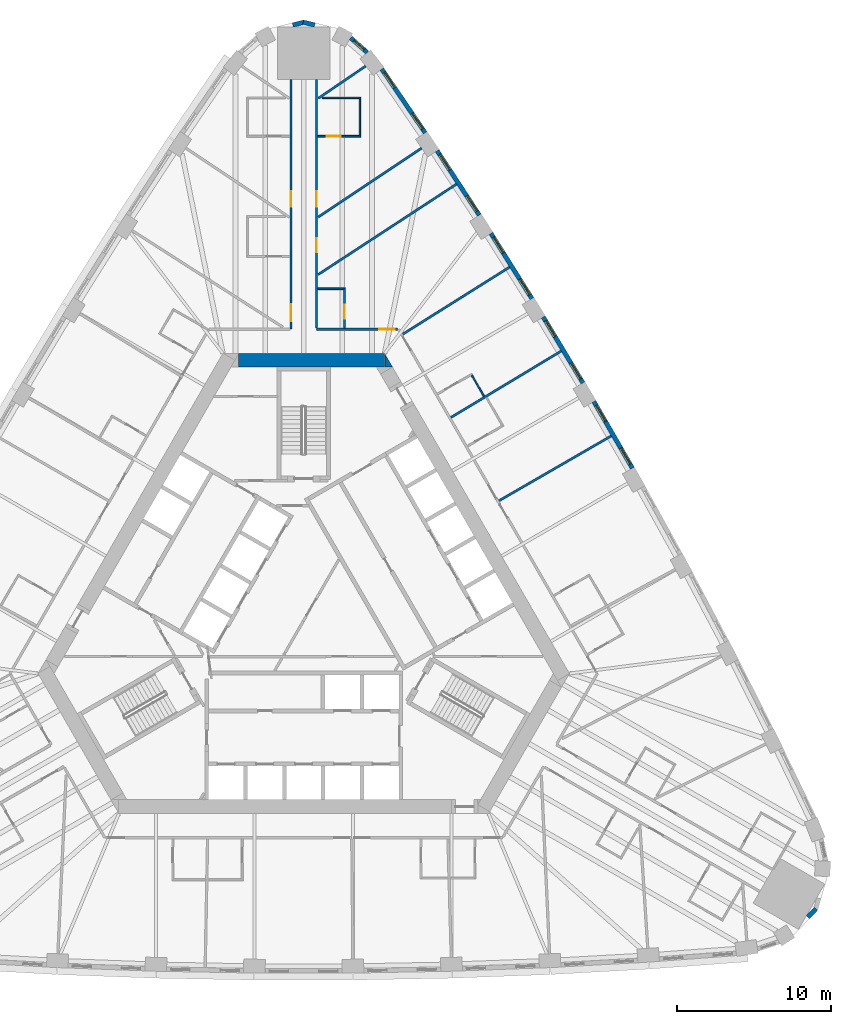
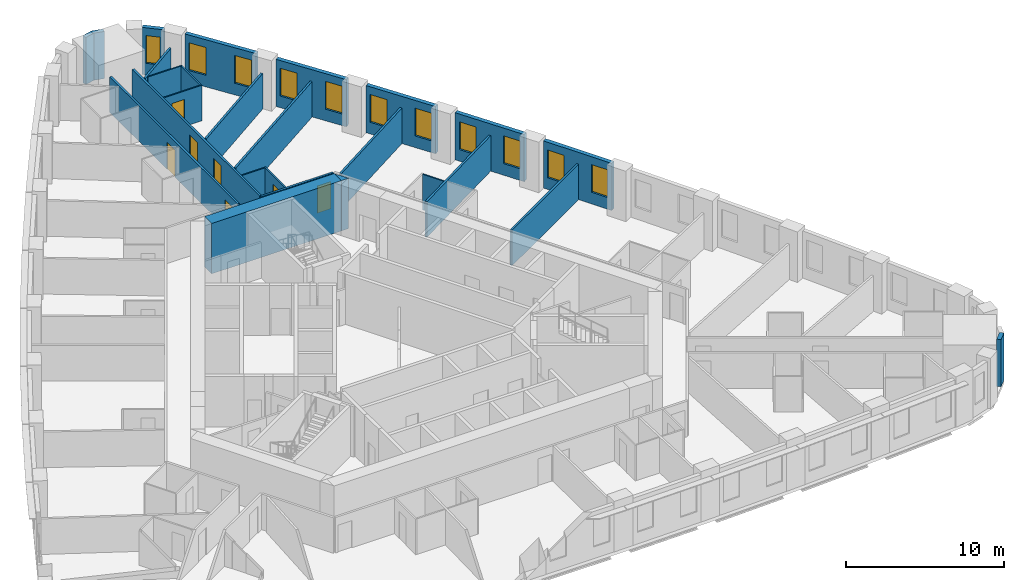
# One storey, part 11 of 13: 26 walls, 11 windows, 7 doors, 18 openings.
"""IFC4 building model written with IfcOpenShell, lengths in metres."""

from ifc_helpers import new_model, si_unit, direction, frame, frame_2d, origin, place, context, subcontext, project, spatial, polyline, rectangle, outline, extrude, material, layer, layer_set, type_object, element, fill, save


model = new_model("IFC4")

# Units and contexts
model_context = context("Model", 3, precision=1e-05, world=origin(), true_north=direction((0.0, 1.0)))
body_context = subcontext(model_context, "Body", "Model", "MODEL_VIEW")
ifc_project = project(units=[si_unit("LENGTHUNIT", "METRE"), si_unit("AREAUNIT", "SQUARE_METRE"), si_unit("VOLUMEUNIT", "CUBIC_METRE"), si_unit("PLANEANGLEUNIT", "RADIAN"), si_unit("MASSUNIT", "GRAM", prefix="KILO")], contexts=[model_context])

# Site, building, storey
site_placement = place(None, origin())
site = spatial("IfcSite", under=ifc_project, at=site_placement, CompositionType="ELEMENT")
building_placement = place(site_placement, origin())
building = spatial("IfcBuilding", under=site, at=building_placement, Name="Mestral Congress Tower", CompositionType="ELEMENT")
storey_placement = place(building_placement, frame((0.0, 0.0, 58.800048828125)))
storey = spatial("IfcBuildingStorey", under=building, at=storey_placement, Name="L13", CompositionType="ELEMENT", Elevation=58.800048828125)

# Walls
ifc_material_1 = material(Name="Concrete C60/75", Category="concrete")
ifc_layer_1 = layer(ifc_material_1, 0.89990234375)
ifc_layer_set_1 = layer_set([ifc_layer_1], Name="Concrete C60/75")
wall_type_1 = type_object("IfcWallType", Name="Core wall RC 900", PredefinedType="SOLIDWALL", material=ifc_layer_set_1)
wall_1_placement = place(storey_placement, frame((-4.224365234375, 16.449951171875, 0.0), z_axis=(0.0, 0.0, 1.0), x_axis=(1.0, 0.0, 0.0)))
element("IfcWall", 1, at=wall_1_placement, inside=storey, type_object=wall_type_1, Name="L13 core wall", PredefinedType="SOLIDWALL", context=body_context, shape_type="SweptSolid", body=[
    extrude(rectangle(XDim=9.48779296875, YDim=0.89990234375, at=frame_2d((4.743896484375, 0.0))), origin(), (0.0, 0.0, 1.0), 3.89990234375),
])
wall_2_placement = place(storey_placement, origin())
element("IfcWall", 2, at=wall_2_placement, inside=storey, type_object=wall_type_1, Name="L13 core wall", PredefinedType="SOLIDWALL", context=body_context, shape_type="SweptSolid", body=[
    extrude(outline(polyline([(5.265380859375, 16.0), (5.265380859375, 16.8798828125), (5.7734375, 16.0), (5.265380859375, 16.0)])), origin(), (0.0, 0.0, 1.0), 3.89990234375),
])
ifc_material_2 = material(Name="Precast concrete C40/50 with limestone facing", Category="masonry")
ifc_layer_2 = layer(ifc_material_2, 0.2900390625)
ifc_layer_set_2 = layer_set([ifc_layer_2], Name="Precast concrete C40/50 with limestone facing")
wall_type_2 = type_object("IfcWallType", Name="Facade stone wall 290", PredefinedType="SOLIDWALL", material=ifc_layer_set_2)
wall_3_placement = place(storey_placement, frame((32.762451171875, -19.732177734375, 0.0), z_axis=(0.0, 0.0, 1.0), x_axis=(0.692252359589, 0.721655506903, 0.0)))
element("IfcWall", 3, at=wall_3_placement, inside=storey, type_object=wall_type_2, Name="Facade wall K0-1", PredefinedType="SOLIDWALL", context=body_context, shape_type="SweptSolid", body=[
    extrude(rectangle(XDim=0.763916015625, YDim=0.2900390625, at=frame_2d((0.3818359375, 0.0))), origin(), (0.0, 0.0, 1.0), 3.64990234375),
])

# Wall, openings, windows
wall_4_placement = place(storey_placement, frame((21.357177734375, 9.44482421875, 0.0), z_axis=(0.0, 0.0, 1.0), x_axis=(-0.50002123722, 0.866013142123, 0.0)))
wall_4 = element("IfcWall", 4, at=wall_4_placement, inside=storey, type_object=wall_type_2, Name="Facade wall F1-04", PredefinedType="SOLIDWALL", context=body_context, shape_type="SweptSolid", body=[
    extrude(rectangle(XDim=4.998291015625, YDim=0.2900390625, at=frame_2d((2.4990234375, 0.0))), origin(), (0.0, 0.0, 1.0), 3.64990234375),
])
opening_1_placement = place(wall_4_placement, frame((0.297119140625, 0.0, 0.89990234375)))
opening_1 = element("IfcOpeningElement", 5, at=opening_1_placement, cuts=wall_4, Name="Opening W1", PredefinedType="OPENING", context=body_context, shape_type="SweptSolid", body=[
    extrude(rectangle(XDim=1.199951171875, YDim=2.14990234375, at=frame_2d((0.60009765625, 1.074951171875))), frame((0.0, 0.155029296875, 0.0), z_axis=(0.0, -1.0, 0.0), x_axis=(1.0, 0.0, 0.0)), (0.0, 0.0, 1.0), 0.31005859375),
])
opening_2_placement = place(wall_4_placement, frame((3.501220703125, 0.0, 0.89990234375)))
opening_2 = element("IfcOpeningElement", 6, at=opening_2_placement, cuts=wall_4, Name="Opening W1", PredefinedType="OPENING", context=body_context, shape_type="SweptSolid", body=[
    extrude(rectangle(XDim=1.199951171875, YDim=2.14990234375, at=frame_2d((0.60009765625, 1.074951171875))), frame((0.0, 0.155029296875, 0.0), z_axis=(0.0, -1.0, 0.0), x_axis=(1.0, 0.0, 0.0)), (0.0, 0.0, 1.0), 0.31005859375),
])
ifc_material_3 = material(Name="Clear low-emissivity double glazing", Category="glass")
window_type_1 = type_object("IfcWindowType", Name="Facade punched window 1200 x 2150 sill 900", PartitioningType="DOUBLE_PANEL_VERTICAL", PredefinedType="WINDOW", material=ifc_material_3)
window_1_placement = place(opening_1_placement, origin())
window_1 = element("IfcWindow", 7, at=window_1_placement, inside=storey, type_object=window_type_1, Name="Window F1-04a", OverallHeight=2.14990234375, OverallWidth=1.199951171875, PartitioningType="DOUBLE_PANEL_VERTICAL", PredefinedType="WINDOW", context=body_context, shape_type="SweptSolid", body=[
    extrude(rectangle(XDim=1.199951171875, YDim=2.14990234375, at=frame_2d((0.60009765625, 1.074951171875))), frame((0.0, 0.01513671875, 0.0), z_axis=(0.0, -1.0, 0.0), x_axis=(1.0, 0.0, 0.0)), (0.0, 0.0, 1.0), 0.06005859375),
])
fill(opening_1, window_1)
window_2_placement = place(opening_2_placement, origin())
window_2 = element("IfcWindow", 8, at=window_2_placement, inside=storey, type_object=window_type_1, Name="Window F1-04b", OverallHeight=2.14990234375, OverallWidth=1.199951171875, PartitioningType="DOUBLE_PANEL_VERTICAL", PredefinedType="WINDOW", context=body_context, shape_type="SweptSolid", body=[
    extrude(rectangle(XDim=1.199951171875, YDim=2.14990234375, at=frame_2d((0.60009765625, 1.074951171875))), frame((0.0, 0.01513671875, 0.0), z_axis=(0.0, -1.0, 0.0), x_axis=(1.0, 0.0, 0.0)), (0.0, 0.0, 1.0), 0.06005859375),
])
fill(opening_2, window_2)

wall_5_placement = place(storey_placement, frame((18.143310546875, 14.985595703125, 0.0), z_axis=(0.0, 0.0, 1.0), x_axis=(-0.515938796285, 0.856625448191, 0.0)))
wall_5 = element("IfcWall", 9, at=wall_5_placement, inside=storey, type_object=wall_type_2, Name="Facade wall F1-05", PredefinedType="SOLIDWALL", context=body_context, shape_type="SweptSolid", body=[
    extrude(rectangle(XDim=4.998291015625, YDim=0.2900390625, at=frame_2d((2.4990234375, 0.0))), origin(), (0.0, 0.0, 1.0), 3.64990234375),
])
opening_3_placement = place(wall_5_placement, frame((0.297119140625, 0.0, 0.89990234375)))
opening_3 = element("IfcOpeningElement", 10, at=opening_3_placement, cuts=wall_5, Name="Opening W1", PredefinedType="OPENING", context=body_context, shape_type="SweptSolid", body=[
    extrude(rectangle(XDim=1.199951171875, YDim=2.14990234375, at=frame_2d((0.60009765625, 1.074951171875))), frame((0.0, 0.155029296875, 0.0), z_axis=(0.0, -1.0, 0.0), x_axis=(1.0, 0.0, 0.0)), (0.0, 0.0, 1.0), 0.31005859375),
])
opening_4_placement = place(wall_5_placement, frame((3.501220703125, 0.0, 0.89990234375)))
opening_4 = element("IfcOpeningElement", 11, at=opening_4_placement, cuts=wall_5, Name="Opening W1", PredefinedType="OPENING", context=body_context, shape_type="SweptSolid", body=[
    extrude(rectangle(XDim=1.199951171875, YDim=2.14990234375, at=frame_2d((0.60009765625, 1.074951171875))), frame((0.0, 0.155029296875, 0.0), z_axis=(0.0, -1.0, 0.0), x_axis=(1.0, 0.0, 0.0)), (0.0, 0.0, 1.0), 0.31005859375),
])
window_3_placement = place(opening_3_placement, origin())
window_3 = element("IfcWindow", 12, at=window_3_placement, inside=storey, type_object=window_type_1, Name="Window F1-05a", OverallHeight=2.14990234375, OverallWidth=1.199951171875, PartitioningType="DOUBLE_PANEL_VERTICAL", PredefinedType="WINDOW", context=body_context, shape_type="SweptSolid", body=[
    extrude(rectangle(XDim=1.199951171875, YDim=2.14990234375, at=frame_2d((0.60009765625, 1.074951171875))), frame((0.0, 0.01513671875, 0.0), z_axis=(0.0, -1.0, 0.0), x_axis=(1.0, 0.0, 0.0)), (0.0, 0.0, 1.0), 0.06005859375),
])
fill(opening_3, window_3)
window_4_placement = place(opening_4_placement, origin())
window_4 = element("IfcWindow", 13, at=window_4_placement, inside=storey, type_object=window_type_1, Name="Window F1-05b", OverallHeight=2.14990234375, OverallWidth=1.199951171875, PartitioningType="DOUBLE_PANEL_VERTICAL", PredefinedType="WINDOW", context=body_context, shape_type="SweptSolid", body=[
    extrude(rectangle(XDim=1.199951171875, YDim=2.14990234375, at=frame_2d((0.60009765625, 1.074951171875))), frame((0.0, 0.01513671875, 0.0), z_axis=(0.0, -1.0, 0.0), x_axis=(1.0, 0.0, 0.0)), (0.0, 0.0, 1.0), 0.06005859375),
])
fill(opening_4, window_4)

wall_6_placement = place(storey_placement, frame((14.827392578125, 20.466064453125, 0.0), z_axis=(0.0, 0.0, 1.0), x_axis=(-0.531688286542, 0.846940119462, 0.0)))
wall_6 = element("IfcWall", 14, at=wall_6_placement, inside=storey, type_object=wall_type_2, Name="Facade wall F1-06", PredefinedType="SOLIDWALL", context=body_context, shape_type="SweptSolid", body=[
    extrude(rectangle(XDim=4.998291015625, YDim=0.2900390625, at=frame_2d((2.4990234375, 0.0))), origin(), (0.0, 0.0, 1.0), 3.64990234375),
])
opening_5_placement = place(wall_6_placement, frame((0.297119140625, 0.0, 0.89990234375)))
opening_5 = element("IfcOpeningElement", 15, at=opening_5_placement, cuts=wall_6, Name="Opening W1", PredefinedType="OPENING", context=body_context, shape_type="SweptSolid", body=[
    extrude(rectangle(XDim=1.199951171875, YDim=2.14990234375, at=frame_2d((0.60009765625, 1.074951171875))), frame((0.0, 0.155029296875, 0.0), z_axis=(0.0, -1.0, 0.0), x_axis=(1.0, 0.0, 0.0)), (0.0, 0.0, 1.0), 0.31005859375),
])
opening_6_placement = place(wall_6_placement, frame((3.501220703125, 0.0, 0.89990234375)))
opening_6 = element("IfcOpeningElement", 16, at=opening_6_placement, cuts=wall_6, Name="Opening W1", PredefinedType="OPENING", context=body_context, shape_type="SweptSolid", body=[
    extrude(rectangle(XDim=1.199951171875, YDim=2.14990234375, at=frame_2d((0.60009765625, 1.074951171875))), frame((0.0, 0.155029296875, 0.0), z_axis=(0.0, -1.0, 0.0), x_axis=(1.0, 0.0, 0.0)), (0.0, 0.0, 1.0), 0.31005859375),
])
window_5_placement = place(opening_5_placement, origin())
window_5 = element("IfcWindow", 17, at=window_5_placement, inside=storey, type_object=window_type_1, Name="Window F1-06a", OverallHeight=2.14990234375, OverallWidth=1.199951171875, PartitioningType="DOUBLE_PANEL_VERTICAL", PredefinedType="WINDOW", context=body_context, shape_type="SweptSolid", body=[
    extrude(rectangle(XDim=1.199951171875, YDim=2.14990234375, at=frame_2d((0.60009765625, 1.074951171875))), frame((0.0, 0.01513671875, 0.0), z_axis=(0.0, -1.0, 0.0), x_axis=(1.0, 0.0, 0.0)), (0.0, 0.0, 1.0), 0.06005859375),
])
fill(opening_5, window_5)
window_6_placement = place(opening_6_placement, origin())
window_6 = element("IfcWindow", 18, at=window_6_placement, inside=storey, type_object=window_type_1, Name="Window F1-06b", OverallHeight=2.14990234375, OverallWidth=1.199951171875, PartitioningType="DOUBLE_PANEL_VERTICAL", PredefinedType="WINDOW", context=body_context, shape_type="SweptSolid", body=[
    extrude(rectangle(XDim=1.199951171875, YDim=2.14990234375, at=frame_2d((0.60009765625, 1.074951171875))), frame((0.0, 0.01513671875, 0.0), z_axis=(0.0, -1.0, 0.0), x_axis=(1.0, 0.0, 0.0)), (0.0, 0.0, 1.0), 0.06005859375),
])
fill(opening_6, window_6)

wall_7_placement = place(storey_placement, frame((11.41064453125, 25.884033203125, 0.0), z_axis=(0.0, 0.0, 1.0), x_axis=(-0.547204617628, 0.836998868845, 0.0)))
wall_7 = element("IfcWall", 19, at=wall_7_placement, inside=storey, type_object=wall_type_2, Name="Facade wall F1-07", PredefinedType="SOLIDWALL", context=body_context, shape_type="SweptSolid", body=[
    extrude(rectangle(XDim=4.998291015625, YDim=0.2900390625, at=frame_2d((2.4990234375, 0.0))), origin(), (0.0, 0.0, 1.0), 3.64990234375),
])
opening_7_placement = place(wall_7_placement, frame((0.297119140625, 0.0, 0.89990234375)))
opening_7 = element("IfcOpeningElement", 20, at=opening_7_placement, cuts=wall_7, Name="Opening W1", PredefinedType="OPENING", context=body_context, shape_type="SweptSolid", body=[
    extrude(rectangle(XDim=1.199951171875, YDim=2.14990234375, at=frame_2d((0.60009765625, 1.074951171875))), frame((0.0, 0.155029296875, 0.0), z_axis=(0.0, -1.0, 0.0), x_axis=(1.0, 0.0, 0.0)), (0.0, 0.0, 1.0), 0.31005859375),
])
opening_8_placement = place(wall_7_placement, frame((3.501220703125, 0.0, 0.89990234375)))
opening_8 = element("IfcOpeningElement", 21, at=opening_8_placement, cuts=wall_7, Name="Opening W1", PredefinedType="OPENING", context=body_context, shape_type="SweptSolid", body=[
    extrude(rectangle(XDim=1.199951171875, YDim=2.14990234375, at=frame_2d((0.60009765625, 1.074951171875))), frame((0.0, 0.155029296875, 0.0), z_axis=(0.0, -1.0, 0.0), x_axis=(1.0, 0.0, 0.0)), (0.0, 0.0, 1.0), 0.31005859375),
])
window_7_placement = place(opening_7_placement, origin())
window_7 = element("IfcWindow", 22, at=window_7_placement, inside=storey, type_object=window_type_1, Name="Window F1-07a", OverallHeight=2.14990234375, OverallWidth=1.199951171875, PartitioningType="DOUBLE_PANEL_VERTICAL", PredefinedType="WINDOW", context=body_context, shape_type="SweptSolid", body=[
    extrude(rectangle(XDim=1.199951171875, YDim=2.14990234375, at=frame_2d((0.60009765625, 1.074951171875))), frame((0.0, 0.01513671875, 0.0), z_axis=(0.0, -1.0, 0.0), x_axis=(1.0, 0.0, 0.0)), (0.0, 0.0, 1.0), 0.06005859375),
])
fill(opening_7, window_7)
window_8_placement = place(opening_8_placement, origin())
window_8 = element("IfcWindow", 23, at=window_8_placement, inside=storey, type_object=window_type_1, Name="Window F1-07b", OverallHeight=2.14990234375, OverallWidth=1.199951171875, PartitioningType="DOUBLE_PANEL_VERTICAL", PredefinedType="WINDOW", context=body_context, shape_type="SweptSolid", body=[
    extrude(rectangle(XDim=1.199951171875, YDim=2.14990234375, at=frame_2d((0.60009765625, 1.074951171875))), frame((0.0, 0.01513671875, 0.0), z_axis=(0.0, -1.0, 0.0), x_axis=(1.0, 0.0, 0.0)), (0.0, 0.0, 1.0), 0.06005859375),
])
fill(opening_8, window_8)

wall_8_placement = place(storey_placement, frame((7.89453125, 31.23828125, 0.0), z_axis=(0.0, 0.0, 1.0), x_axis=(-0.562610153679, 0.826722332454, 0.0)))
wall_8 = element("IfcWall", 24, at=wall_8_placement, inside=storey, type_object=wall_type_2, Name="Facade wall F1-08", PredefinedType="SOLIDWALL", context=body_context, shape_type="SweptSolid", body=[
    extrude(rectangle(XDim=5.005615234375, YDim=0.2900390625, at=frame_2d((2.5029296875, 0.0))), origin(), (0.0, 0.0, 1.0), 3.64990234375),
])
opening_9_placement = place(wall_8_placement, frame((0.310302734375, 0.0, 0.89990234375)))
opening_9 = element("IfcOpeningElement", 25, at=opening_9_placement, cuts=wall_8, Name="Opening W1", PredefinedType="OPENING", context=body_context, shape_type="SweptSolid", body=[
    extrude(rectangle(XDim=1.199951171875, YDim=2.14990234375, at=frame_2d((0.60009765625, 1.074951171875))), frame((0.0, 0.155029296875, 0.0), z_axis=(0.0, -1.0, 0.0), x_axis=(1.0, 0.0, 0.0)), (0.0, 0.0, 1.0), 0.31005859375),
])
opening_10_placement = place(wall_8_placement, frame((3.54052734375, 0.0, 0.89990234375)))
opening_10 = element("IfcOpeningElement", 26, at=opening_10_placement, cuts=wall_8, Name="Opening W1", PredefinedType="OPENING", context=body_context, shape_type="SweptSolid", body=[
    extrude(rectangle(XDim=1.199951171875, YDim=2.14990234375, at=frame_2d((0.60009765625, 1.074951171875))), frame((0.0, 0.155029296875, 0.0), z_axis=(0.0, -1.0, 0.0), x_axis=(1.0, 0.0, 0.0)), (0.0, 0.0, 1.0), 0.31005859375),
])
window_9_placement = place(opening_9_placement, origin())
window_9 = element("IfcWindow", 27, at=window_9_placement, inside=storey, type_object=window_type_1, Name="Window F1-08a", OverallHeight=2.14990234375, OverallWidth=1.199951171875, PartitioningType="DOUBLE_PANEL_VERTICAL", PredefinedType="WINDOW", context=body_context, shape_type="SweptSolid", body=[
    extrude(rectangle(XDim=1.199951171875, YDim=2.14990234375, at=frame_2d((0.60009765625, 1.074951171875))), frame((0.0, 0.01513671875, 0.0), z_axis=(0.0, -1.0, 0.0), x_axis=(1.0, 0.0, 0.0)), (0.0, 0.0, 1.0), 0.06005859375),
])
fill(opening_9, window_9)
window_10_placement = place(opening_10_placement, origin())
window_10 = element("IfcWindow", 28, at=window_10_placement, inside=storey, type_object=window_type_1, Name="Window F1-08b", OverallHeight=2.14990234375, OverallWidth=1.199951171875, PartitioningType="DOUBLE_PANEL_VERTICAL", PredefinedType="WINDOW", context=body_context, shape_type="SweptSolid", body=[
    extrude(rectangle(XDim=1.199951171875, YDim=2.14990234375, at=frame_2d((0.60009765625, 1.074951171875))), frame((0.0, 0.01513671875, 0.0), z_axis=(0.0, -1.0, 0.0), x_axis=(1.0, 0.0, 0.0)), (0.0, 0.0, 1.0), 0.06005859375),
])
fill(opening_10, window_10)

# Wall, opening, window
wall_9_placement = place(storey_placement, frame((4.12548828125, 36.458984375, 0.0), z_axis=(0.0, 0.0, 1.0), x_axis=(-0.749812680302, 0.661650167731, 0.0)))
wall_9 = element("IfcWall", 29, at=wall_9_placement, inside=storey, type_object=wall_type_2, Name="Facade wall K1-0", PredefinedType="SOLIDWALL", context=body_context, shape_type="SweptSolid", body=[
    extrude(rectangle(XDim=1.4150390625, YDim=0.2900390625, at=frame_2d((0.70751953125, 0.0))), origin(), (0.0, 0.0, 1.0), 3.64990234375),
])
opening_11_placement = place(wall_9_placement, frame((0.257568359375, 0.0, 0.89990234375)))
opening_11 = element("IfcOpeningElement", 30, at=opening_11_placement, cuts=wall_9, Name="Opening W3", PredefinedType="OPENING", context=body_context, shape_type="SweptSolid", body=[
    extrude(rectangle(XDim=0.89990234375, YDim=2.14990234375, at=frame_2d((0.449951171875, 1.074951171875))), frame((0.0, 0.155029296875, 0.0), z_axis=(0.0, -1.0, 0.0), x_axis=(1.0, 0.0, 0.0)), (0.0, 0.0, 1.0), 0.31005859375),
])
window_type_2 = type_object("IfcWindowType", Name="Facade punched window 900 x 2150 sill 900", PartitioningType="SINGLE_PANEL", PredefinedType="WINDOW", material=ifc_material_3)
window_11_placement = place(opening_11_placement, origin())
window_11 = element("IfcWindow", 31, at=window_11_placement, inside=storey, type_object=window_type_2, Name="Window K1-0", OverallHeight=2.14990234375, OverallWidth=0.89990234375, PartitioningType="SINGLE_PANEL", PredefinedType="WINDOW", context=body_context, shape_type="SweptSolid", body=[
    extrude(rectangle(XDim=0.89990234375, YDim=2.14990234375, at=frame_2d((0.449951171875, 1.074951171875))), frame((0.0, 0.01513671875, 0.0), z_axis=(0.0, -1.0, 0.0), x_axis=(1.0, 0.0, 0.0)), (0.0, 0.0, 1.0), 0.06005859375),
])
fill(opening_11, window_11)

# Walls
for number, where, z_axis, x_axis, name in (
    (32, (0.707275390625, 38.2392578125, 0.0), (0.0, 0.0, 1.0), (-0.971167582305, 0.238397833629, 0.0), "Facade wall K1-1"),
    (33, (0.03466796875, 38.42138671875, 0.0), (0.0, 0.0, 1.0), (-0.971167582305, -0.238397833629, 0.0), "Facade wall K1-2"),
):
    element("IfcWall", number, at=place(storey_placement, frame(where, z_axis=z_axis, x_axis=x_axis)), inside=storey, type_object=wall_type_2, Name=name, PredefinedType="SOLIDWALL", context=body_context, shape_type="SweptSolid", body=[
        extrude(rectangle(XDim=0.763916015625, YDim=0.2900390625, at=frame_2d((0.3818359375, 0.0))), origin(), (0.0, 0.0, 1.0), 3.64990234375),
    ])
ifc_material_4 = material(Name="Gypsum board partition on metal studs with mineral wool", Category="composite")
ifc_layer_3 = layer(ifc_material_4, 0.10009765625)
ifc_layer_set_3 = layer_set([ifc_layer_3], Name="Gypsum board partition on metal studs with mineral wool")
wall_type_3 = type_object("IfcWallType", Name="Hotel partition wall 100", PredefinedType="PARTITIONING", material=ifc_layer_set_3)
wall_10_placement = place(storey_placement, frame((10.919921875, 15.486083984375, 0.0), z_axis=(0.0, 0.0, 1.0), x_axis=(0.499994407638, -0.866028632512, 0.0)))
element("IfcWall", 34, at=wall_10_placement, inside=storey, type_object=wall_type_3, Name="L13-h-pod14b", PredefinedType="PARTITIONING", context=body_context, shape_type="SweptSolid", body=[
    extrude(rectangle(XDim=1.580078125, YDim=0.10009765625, at=frame_2d((0.7900390625, 0.0))), origin(), (0.0, 0.0, 1.0), 2.75),
])

# Wall, opening, door
wall_11_placement = place(storey_placement, frame((2.65087890625, 18.550048828125, 0.0), z_axis=(0.0, 0.0, 1.0), x_axis=(0.0, 1.0, 0.0)))
wall_11 = element("IfcWall", 35, at=wall_11_placement, inside=storey, type_object=wall_type_3, Name="L13-h-pod15a", PredefinedType="PARTITIONING", context=body_context, shape_type="SweptSolid", body=[
    extrude(rectangle(XDim=2.599853515625, YDim=0.10009765625, at=frame_2d((1.2998046875, 0.0))), origin(), (0.0, 0.0, 1.0), 2.75),
])
opening_12_placement = place(wall_11_placement, frame((0.60009765625, 0.0, 0.0)))
opening_12 = element("IfcOpeningElement", 36, at=opening_12_placement, cuts=wall_11, Name="Opening H03-030", PredefinedType="OPENING", context=body_context, shape_type="SweptSolid", body=[
    extrude(rectangle(XDim=0.89990234375, YDim=2.10009765625, at=frame_2d((0.449951171875, 1.050048828125))), frame((0.0, 0.06005859375, 0.0), z_axis=(0.0, -1.0, 0.0), x_axis=(1.0, 0.0, 0.0)), (0.0, 0.0, 1.0), 0.1201171875),
])
ifc_material_5 = material(Name="Timber veneer door leaf in timber frame", Category="wood")
door_type_1 = type_object("IfcDoorType", Name="Bathroom door 900", OperationType="SINGLE_SWING_LEFT", PredefinedType="DOOR", material=ifc_material_5)
door_1_placement = place(opening_12_placement, origin())
door_1 = element("IfcDoor", 37, at=door_1_placement, inside=storey, type_object=door_type_1, Name="L13-h-d030", OperationType="SINGLE_SWING_RIGHT", OverallHeight=2.10009765625, OverallWidth=0.89990234375, PredefinedType="DOOR", context=body_context, shape_type="SweptSolid", body=[
    extrude(rectangle(XDim=0.89990234375, YDim=2.10009765625, at=frame_2d((0.449951171875, 1.050048828125))), frame((0.0, 0.02490234375, 0.0), z_axis=(0.0, -1.0, 0.0), x_axis=(1.0, 0.0, 0.0)), (0.0, 0.0, 1.0), 0.050048828125),
])
fill(opening_12, door_1)

# Wall
wall_12_placement = place(storey_placement, frame((2.60107421875, 21.10009765625, 0.0), z_axis=(0.0, 0.0, 1.0), x_axis=(-1.0, 0.0, 0.0)))
element("IfcWall", 38, at=wall_12_placement, inside=storey, type_object=wall_type_3, Name="L13-h-pod15b", PredefinedType="PARTITIONING", context=body_context, shape_type="SweptSolid", body=[
    extrude(rectangle(XDim=1.7001953125, YDim=0.10009765625, at=frame_2d((0.85009765625, 0.0))), origin(), (0.0, 0.0, 1.0), 2.75),
])

# Wall, opening, door
wall_13_placement = place(storey_placement, frame((0.89990234375, 31.008544921875, 0.0), z_axis=(0.0, 0.0, 1.0), x_axis=(1.0, 0.0, 0.0)))
wall_13 = element("IfcWall", 39, at=wall_13_placement, inside=storey, type_object=wall_type_3, Name="L13-h-pod17a", PredefinedType="PARTITIONING", context=body_context, shape_type="SweptSolid", body=[
    extrude(rectangle(XDim=2.800048828125, YDim=0.10009765625, at=frame_2d((1.39990234375, 0.0))), origin(), (0.0, 0.0, 1.0), 2.75),
])
opening_13_placement = place(wall_13_placement, frame((0.60009765625, 0.0, 0.0)))
opening_13 = element("IfcOpeningElement", 40, at=opening_13_placement, cuts=wall_13, Name="Opening H03-033", PredefinedType="OPENING", context=body_context, shape_type="SweptSolid", body=[
    extrude(rectangle(XDim=0.89990234375, YDim=2.10009765625, at=frame_2d((0.449951171875, 1.050048828125))), frame((0.0, 0.06005859375, 0.0), z_axis=(0.0, -1.0, 0.0), x_axis=(1.0, 0.0, 0.0)), (0.0, 0.0, 1.0), 0.1201171875),
])
door_2_placement = place(opening_13_placement, origin())
door_2 = element("IfcDoor", 41, at=door_2_placement, inside=storey, type_object=door_type_1, Name="L13-h-d033", OperationType="SINGLE_SWING_LEFT", OverallHeight=2.10009765625, OverallWidth=0.89990234375, PredefinedType="DOOR", context=body_context, shape_type="SweptSolid", body=[
    extrude(rectangle(XDim=0.89990234375, YDim=2.10009765625, at=frame_2d((0.449951171875, 1.050048828125))), frame((0.0, 0.02490234375, 0.0), z_axis=(0.0, -1.0, 0.0), x_axis=(1.0, 0.0, 0.0)), (0.0, 0.0, 1.0), 0.050048828125),
])
fill(opening_13, door_2)

# Walls
wall_14_placement = place(storey_placement, frame((3.64990234375, 31.05859375, 0.0), z_axis=(0.0, 0.0, 1.0), x_axis=(0.0, 1.0, 0.0)))
element("IfcWall", 42, at=wall_14_placement, inside=storey, type_object=wall_type_3, Name="L13-h-pod17b", PredefinedType="PARTITIONING", context=body_context, shape_type="SweptSolid", body=[
    extrude(rectangle(XDim=2.39990234375, YDim=0.10009765625, at=frame_2d((1.199951171875, 0.0))), origin(), (0.0, 0.0, 1.0), 2.75),
])
wall_15_placement = place(storey_placement, frame((1.199951171875, 33.508544921875, 0.0), z_axis=(0.0, 0.0, 1.0), x_axis=(1.0, 0.0, 0.0)))
element("IfcWall", 43, at=wall_15_placement, inside=storey, type_object=wall_type_3, Name="L13-h-pod17c", PredefinedType="PARTITIONING", context=body_context, shape_type="SweptSolid", body=[
    extrude(rectangle(XDim=2.5, YDim=0.10009765625, at=frame_2d((1.25, 0.0))), origin(), (0.0, 0.0, 1.0), 2.75),
])

# Wall, opening, door
ifc_layer_4 = layer(ifc_material_4, 0.14990234375)
ifc_layer_set_4 = layer_set([ifc_layer_4], Name="Gypsum board partition on metal studs with mineral wool")
wall_type_4 = type_object("IfcWallType", Name="Hotel partition wall 150", PredefinedType="PARTITIONING", material=ifc_layer_set_4)
wall_16_placement = place(storey_placement, frame((0.824951171875, 18.47509765625, 0.0), z_axis=(0.0, 0.0, 1.0), x_axis=(1.0, 0.0, 0.0)))
wall_16 = element("IfcWall", 44, at=wall_16_placement, inside=storey, type_object=wall_type_4, Name="L13-h-cw04", PredefinedType="PARTITIONING", context=body_context, shape_type="SweptSolid", body=[
    extrude(rectangle(XDim=5.268310546875, YDim=0.14990234375, at=frame_2d((2.63427734375, 0.0))), origin(), (0.0, 0.0, 1.0), 2.75),
])
opening_14_placement = place(wall_16_placement, frame((4.088134765625, 0.0, 0.0)))
opening_14 = element("IfcOpeningElement", 45, at=opening_14_placement, cuts=wall_16, Name="Opening H03-029", PredefinedType="OPENING", context=body_context, shape_type="SweptSolid", body=[
    extrude(rectangle(XDim=1.0, YDim=2.10009765625, at=frame_2d((0.5, 1.050048828125))), frame((0.0, 0.0849609375, 0.0), z_axis=(0.0, -1.0, 0.0), x_axis=(1.0, 0.0, 0.0)), (0.0, 0.0, 1.0), 0.169921875),
])
ifc_material_6 = material(Name="Timber veneer door leaf in metal frame", Category="wood")
door_type_2 = type_object("IfcDoorType", Name="Guest room entrance door 1000", OperationType="SINGLE_SWING_LEFT", PredefinedType="DOOR", material=ifc_material_6)
door_3_placement = place(opening_14_placement, origin())
door_3 = element("IfcDoor", 46, at=door_3_placement, inside=storey, type_object=door_type_2, Name="L13-h-d029", OperationType="SINGLE_SWING_RIGHT", OverallHeight=2.10009765625, OverallWidth=1.0, PredefinedType="DOOR", context=body_context, shape_type="SweptSolid", body=[
    extrude(rectangle(XDim=1.0, YDim=2.10009765625, at=frame_2d((0.5, 1.050048828125))), frame((0.0, 0.02490234375, 0.0), z_axis=(0.0, -1.0, 0.0), x_axis=(1.0, 0.0, 0.0)), (0.0, 0.0, 1.0), 0.050048828125),
])
fill(opening_14, door_3)

# Wall, openings, doors
wall_17_placement = place(storey_placement, frame((0.824951171875, 34.698974609375, 0.0), z_axis=(0.0, 0.0, 1.0), x_axis=(0.0, -1.0, 0.0)))
wall_17 = element("IfcWall", 47, at=wall_17_placement, inside=storey, type_object=wall_type_4, Name="L13-h-cw05", PredefinedType="PARTITIONING", context=body_context, shape_type="SweptSolid", body=[
    extrude(rectangle(XDim=16.14404296875, YDim=0.14990234375, at=frame_2d((8.072021484375, 0.0))), origin(), (0.0, 0.0, 1.0), 2.75),
])
opening_15_placement = place(wall_17_placement, frame((10.3291015625, 0.0, 0.0)))
opening_15 = element("IfcOpeningElement", 48, at=opening_15_placement, cuts=wall_17, Name="Opening H03-031", PredefinedType="OPENING", context=body_context, shape_type="SweptSolid", body=[
    extrude(rectangle(XDim=0.89990234375, YDim=2.10009765625, at=frame_2d((0.449951171875, 1.050048828125))), frame((0.0, 0.0849609375, 0.0), z_axis=(0.0, -1.0, 0.0), x_axis=(1.0, 0.0, 0.0)), (0.0, 0.0, 1.0), 0.169921875),
])
opening_16_placement = place(wall_17_placement, frame((7.274658203125, 0.0, 0.0)))
opening_16 = element("IfcOpeningElement", 49, at=opening_16_placement, cuts=wall_17, Name="Opening H03-032", PredefinedType="OPENING", context=body_context, shape_type="SweptSolid", body=[
    extrude(rectangle(XDim=1.0, YDim=2.10009765625, at=frame_2d((0.5, 1.050048828125))), frame((0.0, 0.0849609375, 0.0), z_axis=(0.0, -1.0, 0.0), x_axis=(1.0, 0.0, 0.0)), (0.0, 0.0, 1.0), 0.169921875),
])
door_4_placement = place(opening_16_placement, origin())
door_4 = element("IfcDoor", 50, at=door_4_placement, inside=storey, type_object=door_type_2, Name="L13-h-d032", OperationType="SINGLE_SWING_RIGHT", OverallHeight=2.10009765625, OverallWidth=1.0, PredefinedType="DOOR", context=body_context, shape_type="SweptSolid", body=[
    extrude(rectangle(XDim=1.0, YDim=2.10009765625, at=frame_2d((0.5, 1.050048828125))), frame((0.0, 0.02490234375, 0.0), z_axis=(0.0, -1.0, 0.0), x_axis=(1.0, 0.0, 0.0)), (0.0, 0.0, 1.0), 0.050048828125),
])
fill(opening_16, door_4)
door_type_3 = type_object("IfcDoorType", Name="Service room door 900", OperationType="SINGLE_SWING_LEFT", PredefinedType="DOOR", material=ifc_material_6)
door_5_placement = place(opening_15_placement, origin())
door_5 = element("IfcDoor", 51, at=door_5_placement, inside=storey, type_object=door_type_3, Name="L13-h-d031", OperationType="SINGLE_SWING_RIGHT", OverallHeight=2.10009765625, OverallWidth=0.89990234375, PredefinedType="DOOR", context=body_context, shape_type="SweptSolid", body=[
    extrude(rectangle(XDim=0.89990234375, YDim=2.10009765625, at=frame_2d((0.449951171875, 1.050048828125))), frame((0.0, 0.02490234375, 0.0), z_axis=(0.0, -1.0, 0.0), x_axis=(1.0, 0.0, 0.0)), (0.0, 0.0, 1.0), 0.050048828125),
])
fill(opening_15, door_5)

wall_18_placement = place(storey_placement, frame((-0.824951171875, 18.47509765625, 0.0), z_axis=(0.0, 0.0, 1.0), x_axis=(0.0, 1.0, 0.0)))
wall_18 = element("IfcWall", 52, at=wall_18_placement, inside=storey, type_object=wall_type_4, Name="L13-h-cw06", PredefinedType="PARTITIONING", context=body_context, shape_type="SweptSolid", body=[
    extrude(rectangle(XDim=16.223876953125, YDim=0.14990234375, at=frame_2d((8.11181640625, 0.0))), origin(), (0.0, 0.0, 1.0), 2.75),
])
opening_17_placement = place(wall_18_placement, frame((7.948974609375, 0.0, 0.0)))
opening_17 = element("IfcOpeningElement", 53, at=opening_17_placement, cuts=wall_18, Name="Opening H03-034", PredefinedType="OPENING", context=body_context, shape_type="SweptSolid", body=[
    extrude(rectangle(XDim=1.0, YDim=2.10009765625, at=frame_2d((0.5, 1.050048828125))), frame((0.0, 0.0849609375, 0.0), z_axis=(0.0, -1.0, 0.0), x_axis=(1.0, 0.0, 0.0)), (0.0, 0.0, 1.0), 0.169921875),
])
opening_18_placement = place(wall_18_placement, frame((0.52587890625, 0.0, 0.0)))
opening_18 = element("IfcOpeningElement", 54, at=opening_18_placement, cuts=wall_18, Name="Opening H03-036", PredefinedType="OPENING", context=body_context, shape_type="SweptSolid", body=[
    extrude(rectangle(XDim=1.10009765625, YDim=2.10009765625, at=frame_2d((0.550048828125, 1.050048828125))), frame((0.0, 0.0849609375, 0.0), z_axis=(0.0, -1.0, 0.0), x_axis=(1.0, 0.0, 0.0)), (0.0, 0.0, 1.0), 0.169921875),
])
door_type_4 = type_object("IfcDoorType", Name="Accessible room entrance door 1100", OperationType="SINGLE_SWING_LEFT", PredefinedType="DOOR", material=ifc_material_6)
door_6_placement = place(opening_18_placement, origin())
door_6 = element("IfcDoor", 55, at=door_6_placement, inside=storey, type_object=door_type_4, Name="L13-h-d036", OperationType="SINGLE_SWING_LEFT", OverallHeight=2.10009765625, OverallWidth=1.10009765625, PredefinedType="DOOR", context=body_context, shape_type="SweptSolid", body=[
    extrude(rectangle(XDim=1.10009765625, YDim=2.10009765625, at=frame_2d((0.550048828125, 1.050048828125))), frame((0.0, 0.02490234375, 0.0), z_axis=(0.0, -1.0, 0.0), x_axis=(1.0, 0.0, 0.0)), (0.0, 0.0, 1.0), 0.050048828125),
])
fill(opening_18, door_6)
door_7_placement = place(opening_17_placement, origin())
door_7 = element("IfcDoor", 56, at=door_7_placement, inside=storey, type_object=door_type_2, Name="L13-h-d034", OperationType="SINGLE_SWING_LEFT", OverallHeight=2.10009765625, OverallWidth=1.0, PredefinedType="DOOR", context=body_context, shape_type="SweptSolid", body=[
    extrude(rectangle(XDim=1.0, YDim=2.10009765625, at=frame_2d((0.5, 1.050048828125))), frame((0.0, 0.02490234375, 0.0), z_axis=(0.0, -1.0, 0.0), x_axis=(1.0, 0.0, 0.0)), (0.0, 0.0, 1.0), 0.050048828125),
])
fill(opening_17, door_7)

# Walls
wall_19_placement = place(storey_placement, frame((9.921630859375, 27.896484375, 0.0), z_axis=(0.0, 0.0, 1.0), x_axis=(-0.836970816595, -0.547247523675, 0.0)))
element("IfcWall", 57, at=wall_19_placement, inside=storey, type_object=wall_type_4, Name="L13-h-pw14", PredefinedType="PARTITIONING", context=body_context, shape_type="SweptSolid", body=[
    extrude(rectangle(XDim=10.728759765625, YDim=0.14990234375, at=frame_2d((5.3642578125, 0.0))), origin(), (0.0, 0.0, 1.0), 2.75),
])
wall_20_placement = place(storey_placement, frame((7.662353515625, 30.237548828125, 0.0), z_axis=(0.0, 0.0, 1.0), x_axis=(-0.831882886825, -0.554951225431, 0.0)))
element("IfcWall", 58, at=wall_20_placement, inside=storey, type_object=wall_type_4, Name="L13-h-pw15", PredefinedType="PARTITIONING", context=body_context, shape_type="SweptSolid", body=[
    extrude(rectangle(XDim=8.078857421875, YDim=0.14990234375, at=frame_2d((4.03955078125, 0.0))), origin(), (0.0, 0.0, 1.0), 2.75),
])
wall_21_placement = place(storey_placement, frame((4.02783203125, 35.56884765625, 0.0), z_axis=(0.0, 0.0, 1.0), x_axis=(-0.826700206326, -0.56264266534, 0.0)))
element("IfcWall", 59, at=wall_21_placement, inside=storey, type_object=wall_type_4, Name="L13-h-pw16", PredefinedType="PARTITIONING", context=body_context, shape_type="SweptSolid", body=[
    extrude(rectangle(XDim=3.7333984375, YDim=0.14990234375, at=frame_2d((1.86669921875, 0.0))), origin(), (0.0, 0.0, 1.0), 2.75),
])
wall_22_placement = place(storey_placement, frame((13.375732421875, 22.505615234375, 0.0), z_axis=(0.0, 0.0, 1.0), x_axis=(-0.846945608893, -0.531679542183, 0.0)))
element("IfcWall", 60, at=wall_22_placement, inside=storey, type_object=wall_type_4, Name="L13-h-pw18", PredefinedType="PARTITIONING", context=body_context, shape_type="SweptSolid", body=[
    extrude(rectangle(XDim=8.182373046875, YDim=0.14990234375, at=frame_2d((4.09130859375, 0.0))), origin(), (0.0, 0.0, 1.0), 2.75),
])
wall_23_placement = place(storey_placement, frame((16.7294921875, 17.051513671875, 0.0), z_axis=(0.0, 0.0, 1.0), x_axis=(-0.856630606266, -0.515930232113, 0.0)))
element("IfcWall", 61, at=wall_23_placement, inside=storey, type_object=wall_type_4, Name="L13-h-pw20", PredefinedType="PARTITIONING", context=body_context, shape_type="SweptSolid", body=[
    extrude(rectangle(XDim=8.35546875, YDim=0.14990234375, at=frame_2d((4.177734375, 0.0))), origin(), (0.0, 0.0, 1.0), 2.75),
])
wall_24_placement = place(storey_placement, frame((19.98193359375, 11.53662109375, 0.0), z_axis=(0.0, 0.0, 1.0), x_axis=(-0.866020994654, -0.500007636761, 0.0)))
element("IfcWall", 62, at=wall_24_placement, inside=storey, type_object=wall_type_4, Name="L13-h-pw21", PredefinedType="PARTITIONING", context=body_context, shape_type="SweptSolid", body=[
    extrude(rectangle(XDim=8.423095703125, YDim=0.14990234375, at=frame_2d((4.21142578125, 0.0))), origin(), (0.0, 0.0, 1.0), 2.75),
])

save(model, "model.ifc")
